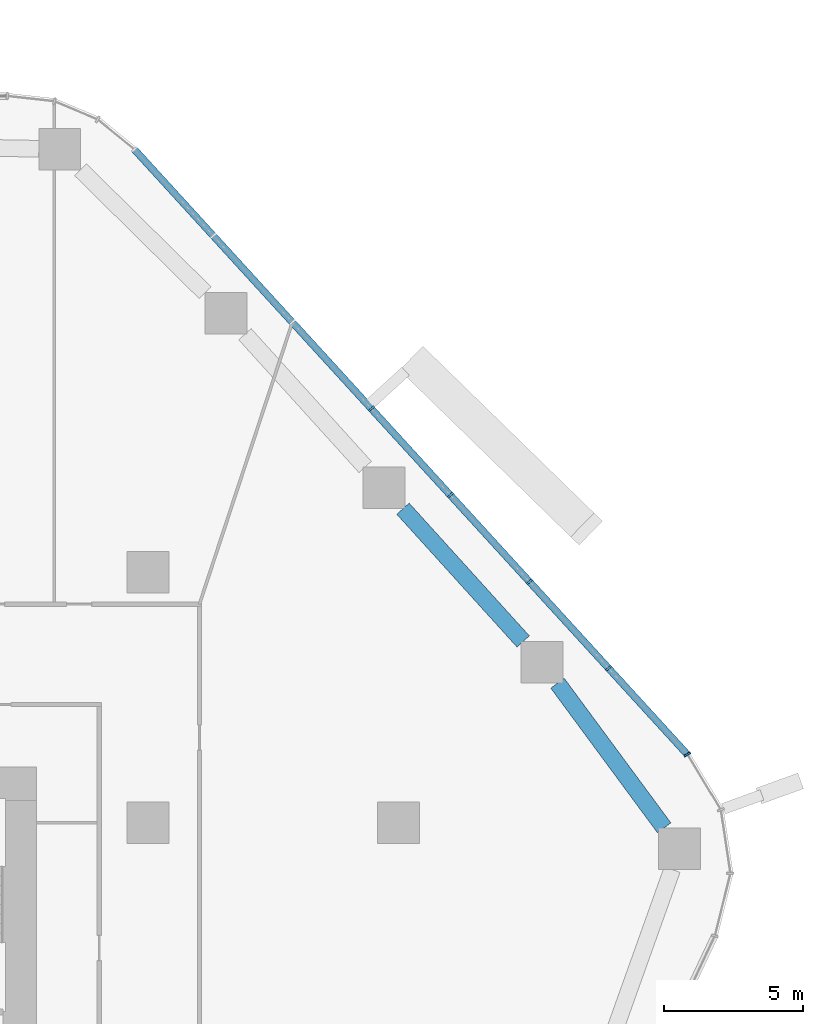
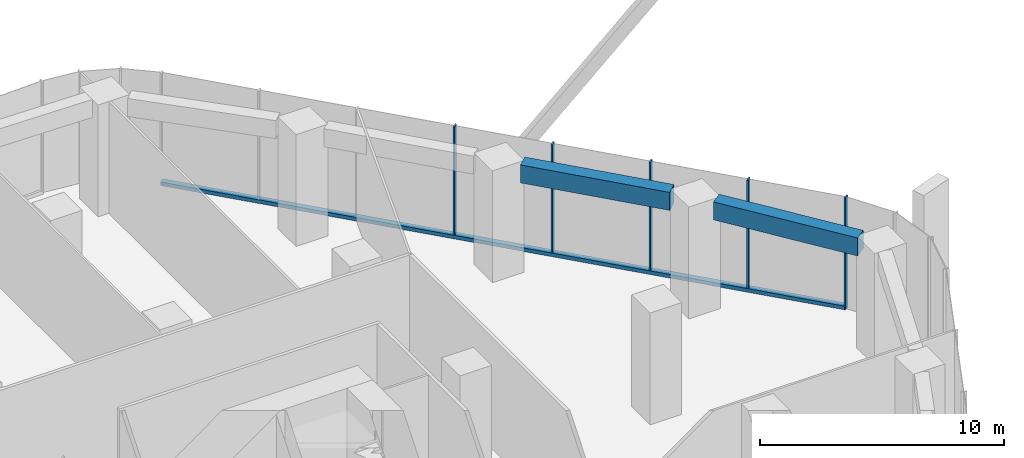
# One storey, part 7 of 19: 6 members, 2 beams, 2 elements without a shape of their own.
"""IFC4 building model written with IfcOpenShell, lengths in metres."""

from ifc_helpers import new_model, si_unit, direction, frame, origin, origin_2d, place, context, subcontext, project, spatial, rectangle, extrude, material, layer, layer_set, material_profile, profile_set, type_object, element, aggregate, save


model = new_model("IFC4")

# Units and contexts
model_context = context("Model", 3, precision=1e-05, world=origin(), true_north=direction((0.0, 1.0)))
body_context = subcontext(model_context, "Body", "Model", "MODEL_VIEW")
ifc_project = project(units=[si_unit("LENGTHUNIT", "METRE"), si_unit("AREAUNIT", "SQUARE_METRE"), si_unit("VOLUMEUNIT", "CUBIC_METRE"), si_unit("PLANEANGLEUNIT", "RADIAN"), si_unit("MASSUNIT", "GRAM", prefix="KILO")], contexts=[model_context])

# Site, building, storey
site_placement = place(None, origin())
site = spatial("IfcSite", under=ifc_project, at=site_placement, CompositionType="ELEMENT")
building_placement = place(site_placement, origin())
building = spatial("IfcBuilding", under=site, at=building_placement, Name="Dongbaek Canopy Tower", CompositionType="ELEMENT")
storey_placement = place(building_placement, frame((0.0, 0.0, 38.0)))
storey = spatial("IfcBuildingStorey", under=building, at=storey_placement, Name="L05", CompositionType="ELEMENT", Elevation=38.0)

# Curtain wall, member
ifc_material_1 = material(Name="Aluminium 6063-T6 pale anodised", Category="aluminium")
ifc_layer = layer(ifc_material_1, 0.25)
ifc_layer_set = layer_set([ifc_layer], Name="CW-4 sky-lobby curtain wall")
curtain_wall_type = type_object("IfcCurtainWallType", Name="CW-4 sky-lobby curtain wall", PredefinedType="NOTDEFINED", material=ifc_layer_set)
curtain_wall_1_placement = place(storey_placement, origin())
curtain_wall_1 = element("IfcCurtainWall", 1, at=curtain_wall_1_placement, inside=storey, type_object=curtain_wall_type, Name="CW-4 curtain wall K0.1", PredefinedType="NOTDEFINED")
ifc_material_2 = material(Name="Aluminium 6063-T6 pale anodised", Category="aluminium")
ifc_material_profile_1 = material_profile(ifc_material_2, rectangle(XDim=0.25, YDim=0.070068359375, at=origin_2d()), Name="CW-4 mullion 70 x 250")
ifc_profile_set_1 = profile_set([ifc_material_profile_1], Name="Aluminium 6063-T6 pale anodised")
member_type_1 = type_object("IfcMemberType", Name="CW-4 mullion 70 x 250", PredefinedType="MULLION", material=ifc_profile_set_1)
member_1_placement = place(storey_placement, frame((37.378662109375, 11.449951171875, 0.0), z_axis=(0.0, 0.0, 1.0), x_axis=(0.85588551295, 0.51716533983, 0.0)))
member_1 = element("IfcMember", 2, at=member_1_placement, type_object=member_type_1, Name="CW-4 mullion K0.1.4", PredefinedType="MULLION", context=body_context, shape_type="SweptSolid", body=[
    extrude(rectangle(XDim=0.25, YDim=0.070068359375, at=origin_2d()), origin(), (0.0, 0.0, 1.0), 5.60009765625),
])
aggregate(curtain_wall_1, [member_1])

# Curtain wall, members
curtain_wall_2_placement = place(storey_placement, origin())
curtain_wall_2 = element("IfcCurtainWall", 3, at=curtain_wall_2_placement, inside=storey, type_object=curtain_wall_type, Name="CW-4 curtain wall F0.1", PredefinedType="NOTDEFINED")
member_2_placement = place(storey_placement, frame((34.5458984375, 14.549560546875, 0.179931640625), z_axis=(0.0, 0.0, 1.0), x_axis=(0.738140821352, 0.674646668897, 0.0)))
member_2 = element("IfcMember", 4, at=member_2_placement, type_object=member_type_1, Name="CW-4 mullion F0.1.2", PredefinedType="MULLION", context=body_context, shape_type="SweptSolid", body=[
    extrude(rectangle(XDim=0.25, YDim=0.070068359375, at=origin_2d()), origin(), (0.0, 0.0, 1.0), 5.420166015625),
])
member_3_placement = place(storey_placement, frame((31.706298828125, 17.656494140625, 0.179931640625), z_axis=(0.0, 0.0, 1.0), x_axis=(0.738140821352, 0.674646668897, 0.0)))
member_3 = element("IfcMember", 5, at=member_3_placement, type_object=member_type_1, Name="CW-4 mullion F0.1.3", PredefinedType="MULLION", context=body_context, shape_type="SweptSolid", body=[
    extrude(rectangle(XDim=0.25, YDim=0.070068359375, at=origin_2d()), origin(), (0.0, 0.0, 1.0), 5.420166015625),
])
member_4_placement = place(storey_placement, frame((28.866455078125, 20.76318359375, 0.179931640625), z_axis=(0.0, 0.0, 1.0), x_axis=(0.738140821352, 0.674646668897, 0.0)))
member_4 = element("IfcMember", 6, at=member_4_placement, type_object=member_type_1, Name="CW-4 mullion F0.1.4", PredefinedType="MULLION", context=body_context, shape_type="SweptSolid", body=[
    extrude(rectangle(XDim=0.25, YDim=0.070068359375, at=origin_2d()), origin(), (0.0, 0.0, 1.0), 5.420166015625),
])
member_5_placement = place(storey_placement, frame((26.02685546875, 23.8701171875, 0.179931640625), z_axis=(0.0, 0.0, 1.0), x_axis=(0.738140821352, 0.674646668897, 0.0)))
member_5 = element("IfcMember", 7, at=member_5_placement, type_object=member_type_1, Name="CW-4 mullion F0.1.5", PredefinedType="MULLION", context=body_context, shape_type="SweptSolid", body=[
    extrude(rectangle(XDim=0.25, YDim=0.070068359375, at=origin_2d()), origin(), (0.0, 0.0, 1.0), 5.420166015625),
])
ifc_material_3 = material(Name="Aluminium 6063-T6 pale anodised", Category="aluminium")
ifc_material_profile_2 = material_profile(ifc_material_3, rectangle(XDim=0.25, YDim=0.179931640625, at=origin_2d()), Name="CW-4 transom 180 x 250")
ifc_profile_set_2 = profile_set([ifc_material_profile_2], Name="Aluminium 6063-T6 pale anodised")
member_type_2 = type_object("IfcMemberType", Name="CW-4 transom 180 x 250", PredefinedType="USERDEFINED", material=ifc_profile_set_2)
member_6_placement = place(storey_placement, frame((37.378662109375, 11.449951171875, 0.090087890625), z_axis=(-0.674647127866, 0.738140401863, 0.0), x_axis=(-0.738140401863, -0.674647127866, 0.0)))
member_6 = element("IfcMember", 8, at=member_6_placement, type_object=member_type_2, Name="CW-4 transom F0.1.1", ObjectType="TRANSOM", PredefinedType="USERDEFINED", context=body_context, shape_type="SweptSolid", body=[
    extrude(rectangle(XDim=0.25, YDim=0.179931640625, at=origin_2d()), origin(), (0.0, 0.0, 1.0), 29.446044921875),
])
aggregate(curtain_wall_2, [member_2, member_3, member_4, member_5, member_6])

# Beams
ifc_material_4 = material(Name="Concrete C80", Category="concrete")
ifc_material_profile_3 = material_profile(ifc_material_4, rectangle(XDim=0.60009765625, YDim=0.89990234375, at=origin_2d()), Name="RC EDGE BEAM 600x900 C80")
ifc_profile_set_3 = profile_set([ifc_material_profile_3], Name="Concrete C80")
beam_type = type_object("IfcBeamType", Name="RC EDGE BEAM 600x900 C80", PredefinedType="BEAM", material=ifc_profile_set_3)
beam_1_placement = place(storey_placement, frame((27.1611328125, 20.279052734375, 5.14990234375), z_axis=(0.671226318279, -0.741252473621, 0.0), x_axis=(0.741252473621, 0.671226318279, 0.0)))
element("IfcBeam", 9, at=beam_1_placement, inside=storey, type_object=beam_type, Name="EDGEBEAM:L05:19", PredefinedType="BEAM", context=body_context, shape_type="SweptSolid", body=[
    extrude(rectangle(XDim=0.60009765625, YDim=0.89990234375, at=origin_2d()), origin(), (0.0, 0.0, 1.0), 6.432373046875),
])
beam_2_placement = place(storey_placement, frame((32.71142578125, 14.010986328125, 5.14990234375), z_axis=(0.593731643304, -0.804663119411, 0.0), x_axis=(0.804663119411, 0.593731643304, 0.0)))
element("IfcBeam", 10, at=beam_2_placement, inside=storey, type_object=beam_type, Name="EDGEBEAM:L05:20", PredefinedType="BEAM", context=body_context, shape_type="SweptSolid", body=[
    extrude(rectangle(XDim=0.60009765625, YDim=0.89990234375, at=origin_2d()), origin(), (0.0, 0.0, 1.0), 6.456298828125),
])

save(model, "model.ifc")
